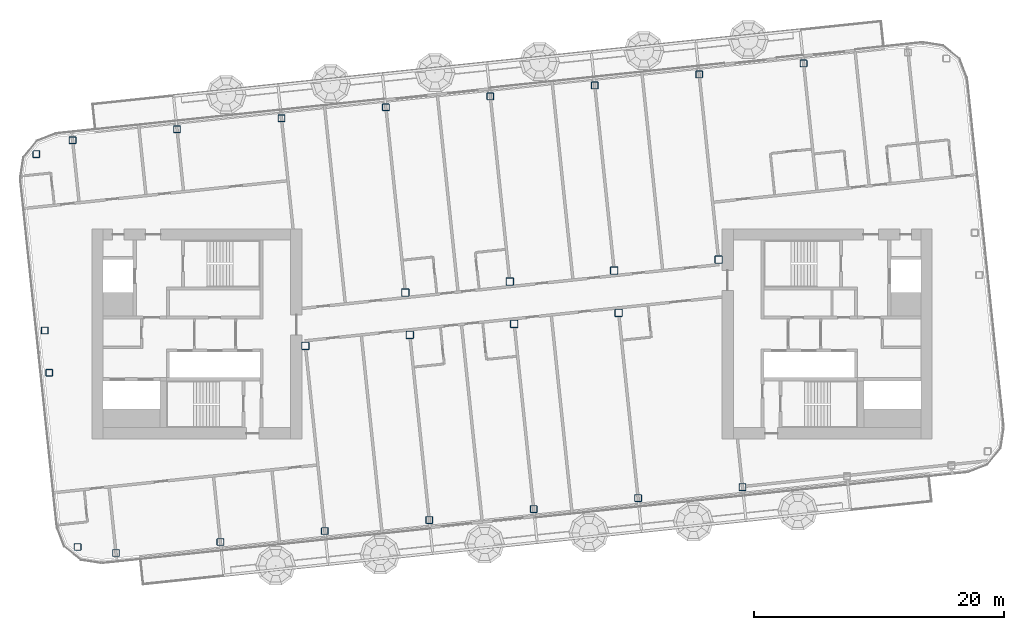
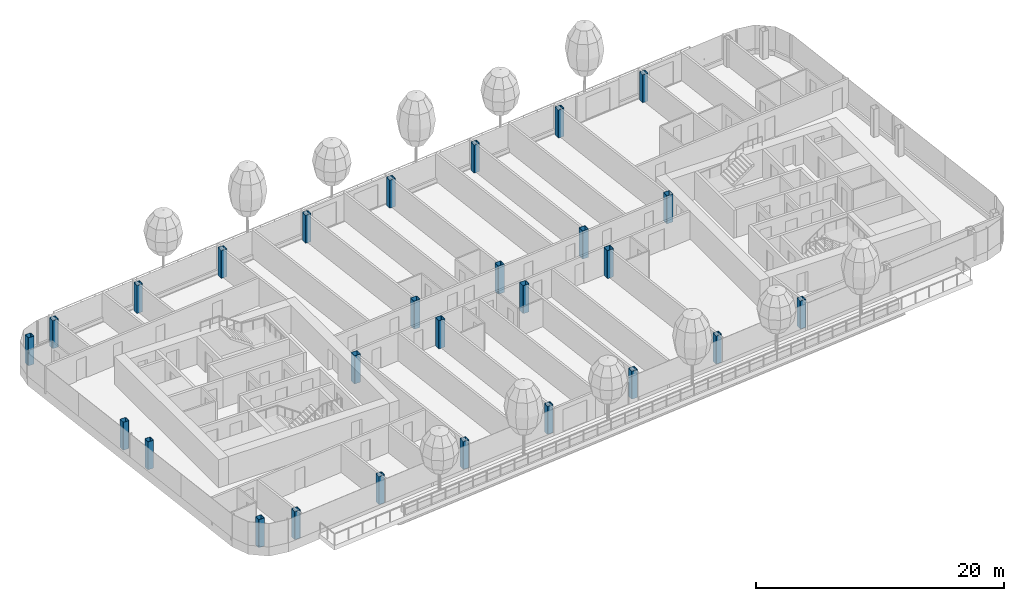
# One storey, part 1 of 29: 27 columns.
"""IFC4 building model written with IfcOpenShell, lengths in metres."""

from ifc_helpers import new_model, si_unit, direction, frame, origin, origin_2d, place, context, subcontext, project, spatial, hollow_rectangle, extrude, material, material_profile, profile_set, type_object, element, save


model = new_model("IFC4")

# Units and contexts
model_context = context("Model", 3, precision=1e-05, world=origin(), true_north=direction((0.0, 1.0)))
body_context = subcontext(model_context, "Body", "Model", "MODEL_VIEW")
ifc_project = project(units=[si_unit("LENGTHUNIT", "METRE"), si_unit("AREAUNIT", "SQUARE_METRE"), si_unit("VOLUMEUNIT", "CUBIC_METRE"), si_unit("PLANEANGLEUNIT", "RADIAN"), si_unit("MASSUNIT", "GRAM", prefix="KILO")], contexts=[model_context])

# Site, building, storey
site_placement = place(None, origin())
site = spatial("IfcSite", under=ifc_project, at=site_placement, CompositionType="ELEMENT")
building_placement = place(site_placement, origin())
building = spatial("IfcBuilding", under=site, at=building_placement, Name="Hakoniwa Tower and Hamabe Station Hall", CompositionType="ELEMENT")
storey_placement = place(building_placement, frame((0.0, 0.0, 258.199951171875)))
storey = spatial("IfcBuildingStorey", under=building, at=storey_placement, Name="L73", CompositionType="ELEMENT", Elevation=258.199951171875)

# Columns
ifc_material_1 = material(Name="Steel BCP325", Category="steel")
ifc_material_profile_1 = material_profile(ifc_material_1, hollow_rectangle(XDim=0.550048828125, YDim=0.550048828125, WallThickness=0.02197265625, InnerFilletRadius=0.032958984375, OuterFilletRadius=0.054931640625, at=origin_2d()), Name="BCP-550x550x22")
ifc_profile_set_1 = profile_set([ifc_material_profile_1], Name="Steel BCP325")
column_type_1 = type_object("IfcColumnType", Name="COLUMN BCP-550x550x22", PredefinedType="COLUMN", material=ifc_profile_set_1)
for number, where, z_axis, x_axis, name in (
    (1, (-34.750732421875, -17.04248046875, 0.0), (0.0, 0.0, 1.0), (1.0, 0.0, 0.0), "Column B5-EW-A5"),
    (2, (-37.017333984375, -3.10009765625, 0.0), (0.0, 0.0, 1.0), (1.0, 0.0, 0.0), "Column B5-EW-C5"),
    (3, (-37.372802734375, 0.28125, 0.0), (0.0, 0.0, 1.0), (1.0, 0.0, 0.0), "Column B5-EW-D5"),
    (4, (-38.054443359375, 14.390380859375, 0.0), (0.0, 0.0, 1.0), (1.0, 0.0, 0.0), "Column B5-EW-F5"),
    (5, (-31.680908203125, -17.521240234375, 0.0), (0.0, 0.0, 1.0), (1.0, 0.0, 0.0), "Column B5-3-A5"),
    (6, (-35.151123046875, 15.496826171875, 0.0), (0.0, 0.0, 1.0), (1.0, 0.0, 0.0), "Column B5-3-F5"),
    (7, (-23.326904296875, -16.643310546875, 0.0), (0.0, 0.0, 1.0), (1.0, 0.0, 0.0), "Column B5-4-A5"),
    (8, (-26.797119140625, 16.375, 0.0), (0.0, 0.0, 1.0), (1.0, 0.0, 0.0), "Column B5-4-F5"),
    (9, (-14.972900390625, -15.76513671875, 0.0), (0.0, 0.0, 1.0), (1.0, 0.0, 0.0), "Column B5-5-A5"),
    (10, (-18.443115234375, 17.2529296875, 0.0), (0.0, 0.0, 1.0), (1.0, 0.0, 0.0), "Column B5-5-F5"),
    (11, (-6.618896484375, -14.88720703125, 0.0), (0.0, 0.0, 1.0), (1.0, 0.0, 0.0), "Column B5-6-A5"),
    (12, (-10.089111328125, 18.131103515625, 0.0), (0.0, 0.0, 1.0), (1.0, 0.0, 0.0), "Column B5-6-F5"),
    (13, (1.735107421875, -14.009033203125, 0.0), (0.0, 0.0, 1.0), (1.0, 0.0, 0.0), "Column B5-7-A5"),
    (14, (-1.735107421875, 19.009033203125, 0.0), (0.0, 0.0, 1.0), (1.0, 0.0, 0.0), "Column B5-7-F5"),
    (15, (10.089111328125, -13.131103515625, 0.0), (0.0, 0.0, 1.0), (1.0, 0.0, 0.0), "Column B5-8-A5"),
    (16, (6.618896484375, 19.88720703125, 0.0), (0.0, 0.0, 1.0), (1.0, 0.0, 0.0), "Column B5-8-F5"),
    (17, (18.443115234375, -12.2529296875, 0.0), (0.0, 0.0, 1.0), (1.0, 0.0, 0.0), "Column B5-9-A5"),
    (18, (14.972900390625, 20.76513671875, 0.0), (0.0, 0.0, 1.0), (1.0, 0.0, 0.0), "Column B5-9-F5"),
    (19, (23.326904296875, 21.643310546875, 0.0), (0.0, 0.0, 1.0), (1.0, 0.0, 0.0), "Column B5-10-F5"),
):
    element("IfcColumn", number, at=place(storey_placement, frame(where, z_axis=z_axis, x_axis=x_axis)), inside=storey, type_object=column_type_1, Name=name, PredefinedType="COLUMN", context=body_context, shape_type="SweptSolid", body=[
        extrude(hollow_rectangle(XDim=0.550048828125, YDim=0.550048828125, WallThickness=0.02197265625, InnerFilletRadius=0.032958984375, OuterFilletRadius=0.054931640625, at=origin_2d()), origin(), (0.0, 0.0, 1.0), 2.75),
    ])
ifc_material_2 = material(Name="Steel BCP325", Category="steel")
ifc_material_profile_2 = material_profile(ifc_material_2, hollow_rectangle(XDim=0.60009765625, YDim=0.60009765625, WallThickness=0.02490234375, InnerFilletRadius=0.03759765625, OuterFilletRadius=0.0625, at=origin_2d()), Name="BCP-600x600x25")
ifc_profile_set_2 = profile_set([ifc_material_profile_2], Name="Steel BCP325")
column_type_2 = type_object("IfcColumnType", Name="COLUMN BCP-600x600x25", PredefinedType="COLUMN", material=ifc_profile_set_2)
for number, where, z_axis, x_axis, name in (
    (20, (-16.5302734375, -0.94677734375, 0.0), (0.0, 0.0, 1.0), (1.0, 0.0, 0.0), "Column B5-5-C5"),
    (21, (-8.17626953125, -0.068603515625, 0.0), (0.0, 0.0, 1.0), (1.0, 0.0, 0.0), "Column B5-6-C5"),
    (22, (-8.53173828125, 3.3125, 0.0), (0.0, 0.0, 1.0), (1.0, 0.0, 0.0), "Column B5-6-D5"),
    (23, (0.177734375, 0.809326171875, 0.0), (0.0, 0.0, 1.0), (1.0, 0.0, 0.0), "Column B5-7-C5"),
    (24, (-0.177734375, 4.190673828125, 0.0), (0.0, 0.0, 1.0), (1.0, 0.0, 0.0), "Column B5-7-D5"),
    (25, (8.53173828125, 1.6875, 0.0), (0.0, 0.0, 1.0), (1.0, 0.0, 0.0), "Column B5-8-C5"),
    (26, (8.17626953125, 5.068603515625, 0.0), (0.0, 0.0, 1.0), (1.0, 0.0, 0.0), "Column B5-8-D5"),
    (27, (16.5302734375, 5.94677734375, 0.0), (0.0, 0.0, 1.0), (1.0, 0.0, 0.0), "Column B5-9-D5"),
):
    element("IfcColumn", number, at=place(storey_placement, frame(where, z_axis=z_axis, x_axis=x_axis)), inside=storey, type_object=column_type_2, Name=name, PredefinedType="COLUMN", context=body_context, shape_type="SweptSolid", body=[
        extrude(hollow_rectangle(XDim=0.60009765625, YDim=0.60009765625, WallThickness=0.02490234375, InnerFilletRadius=0.03759765625, OuterFilletRadius=0.0625, at=origin_2d()), origin(), (0.0, 0.0, 1.0), 2.75),
    ])

save(model, "model.ifc")
